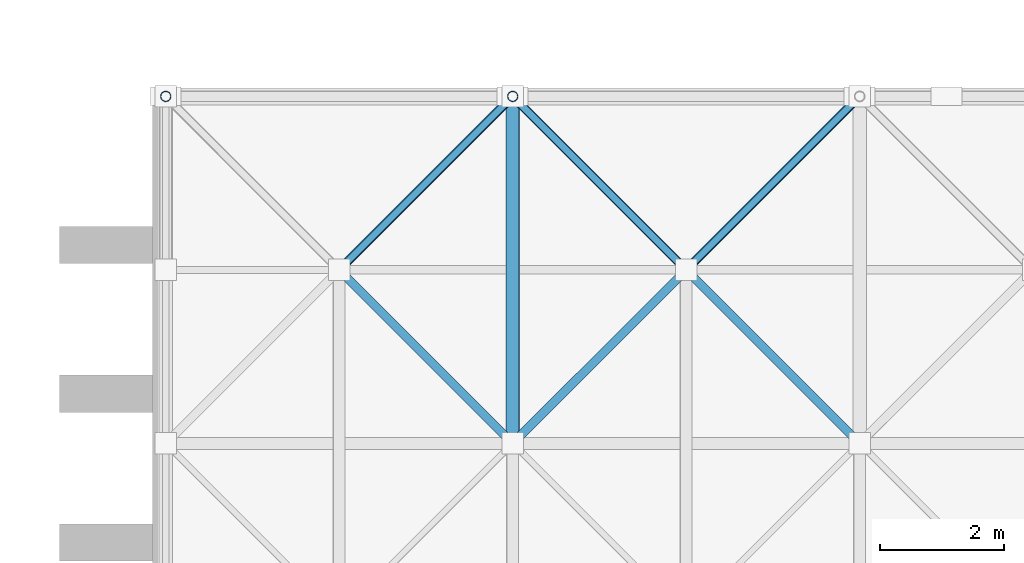
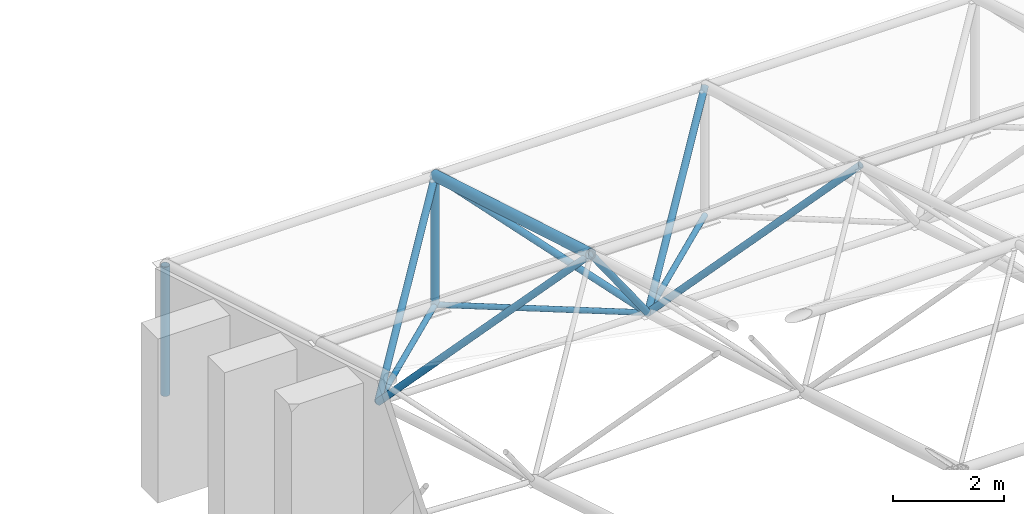
# One storey, part 31 of 100: 12 members.
"""IFC4 building model written with IfcOpenShell, lengths in metres."""

from ifc_helpers import new_model, si_unit, direction, frame, origin, origin_2d, place, context, subcontext, project, spatial, hollow_circle, extrude, material, material_profile, profile_set, type_object, element, save


model = new_model("IFC4")

# Units and contexts
model_context = context("Model", 3, precision=1e-05, world=origin(), true_north=direction((0.0, 1.0)))
body_context = subcontext(model_context, "Body", "Model", "MODEL_VIEW")
ifc_project = project(units=[si_unit("LENGTHUNIT", "METRE"), si_unit("AREAUNIT", "SQUARE_METRE"), si_unit("VOLUMEUNIT", "CUBIC_METRE"), si_unit("PLANEANGLEUNIT", "RADIAN"), si_unit("MASSUNIT", "GRAM", prefix="KILO")], contexts=[model_context])

# Site, building, storey
site_placement = place(None, origin())
site = spatial("IfcSite", under=ifc_project, at=site_placement, CompositionType="ELEMENT")
building_placement = place(site_placement, origin())
building = spatial("IfcBuilding", under=site, at=building_placement, Name="Kiln Court Media Centre", CompositionType="ELEMENT")
storey_placement = place(building_placement, frame((0.0, 0.0, 15.0)))
storey = spatial("IfcBuildingStorey", under=building, at=storey_placement, Name="L03", CompositionType="ELEMENT", Elevation=15.0)

# Members
ifc_material_1 = material(Name="Steel ASTM A500 Gr C", Category="steel")
ifc_material_profile_1 = material_profile(ifc_material_1, hollow_circle(Radius=0.05712890625, WallThickness=0.0048828125, at=origin_2d()), Name="CHS 114.3x5.0")
ifc_profile_set_1 = profile_set([ifc_material_profile_1], Name="Steel ASTM A500 Gr C")
member_type_1 = type_object("IfcMemberType", Name="Steel ASTM A500 Gr C CHS 114.3x5.0 space frame brace", PredefinedType="BRACE", material=ifc_profile_set_1)
for number, where, z_axis, x_axis, name in (
    (1, (123.199951171875, 67.199951171875, 0.16455078125), (-0.700650262178, -0.700650262178, 0.134827371927), (0.707106781187, -0.707106781187, 0.0), "V2 roof bearing tie last 2 space frame brace"),
    (2, (123.199951171875, 67.199951171875, 0.16455078125), (0.700650262178, -0.700650262178, 0.134827371927), (0.707106781187, 0.707106781187, 0.0), "V2 roof bearing tie last 2 space frame brace"),
    (3, (128.800048828125, 67.199951171875, 0.16455078125), (-0.700650262178, -0.700650262178, 0.134827371927), (0.707106781187, -0.707106781187, 0.0), "V2 roof bearing tie last 3 space frame brace"),
):
    element("IfcMember", number, at=place(storey_placement, frame(where, z_axis=z_axis, x_axis=x_axis)), inside=storey, type_object=member_type_1, Name=name, PredefinedType="BRACE", context=body_context, shape_type="SweptSolid", body=[
        extrude(hollow_circle(Radius=0.05712890625, WallThickness=0.0048828125, at=origin_2d()), origin(), (0.0, 0.0, 1.0), 3.996337890625),
    ])
ifc_material_2 = material(Name="Steel ASTM A500 Gr C", Category="steel")
ifc_material_profile_2 = material_profile(ifc_material_2, hollow_circle(Radius=0.06982421875, WallThickness=0.0048828125, at=origin_2d()), Name="CHS 139.7x5.0")
ifc_profile_set_2 = profile_set([ifc_material_profile_2], Name="Steel ASTM A500 Gr C")
member_type_2 = type_object("IfcMemberType", Name="Steel ASTM A500 Gr C CHS 139.7x5.0 space frame brace", PredefinedType="BRACE", material=ifc_profile_set_2)
member_1_placement = place(storey_placement, frame((120.39990234375, 64.39990234375, 0.703369140625), z_axis=(0.499789216589, -0.499745639188, 0.707435534232), x_axis=(0.707075952299, 0.70713760873, 0.0)))
element("IfcMember", 4, at=member_1_placement, inside=storey, type_object=member_type_2, Name="V2 roof diagonal 6-1 space frame brace", PredefinedType="BRACE", context=body_context, shape_type="SweptSolid", body=[
    extrude(hollow_circle(Radius=0.06982421875, WallThickness=0.0048828125, at=origin_2d()), origin(), (0.0, 0.0, 1.0), 5.6025390625),
])
member_2_placement = place(storey_placement, frame((120.39990234375, 64.39990234375, 0.703369140625), z_axis=(0.611675588557, 0.611675588557, 0.501703048353), x_axis=(-0.707106781187, 0.707106781187, 0.0)))
element("IfcMember", 5, at=member_2_placement, inside=storey, type_object=member_type_2, Name="V2 roof diagonal 6-1 space frame brace", PredefinedType="BRACE", context=body_context, shape_type="SweptSolid", body=[
    extrude(hollow_circle(Radius=0.06982421875, WallThickness=0.0048828125, at=origin_2d()), origin(), (0.0, 0.0, 1.0), 4.57763671875),
])
member_3_placement = place(storey_placement, frame((126.0, 64.39990234375, 0.703369140625), z_axis=(-0.499789216589, -0.499745639188, 0.707435534232), x_axis=(0.707075952299, -0.70713760873, 0.0)))
element("IfcMember", 6, at=member_3_placement, inside=storey, type_object=member_type_2, Name="V2 roof diagonal 6-2 space frame brace", PredefinedType="BRACE", context=body_context, shape_type="SweptSolid", body=[
    extrude(hollow_circle(Radius=0.06982421875, WallThickness=0.0048828125, at=origin_2d()), origin(), (0.0, 0.0, 1.0), 5.6025390625),
])
member_4_placement = place(storey_placement, frame((126.0, 64.39990234375, 0.703369140625), z_axis=(-0.611675588557, 0.611675588557, 0.501703048353), x_axis=(-0.707106781187, -0.707106781187, 0.0)))
element("IfcMember", 7, at=member_4_placement, inside=storey, type_object=member_type_2, Name="V2 roof diagonal 6-2 space frame brace", PredefinedType="BRACE", context=body_context, shape_type="SweptSolid", body=[
    extrude(hollow_circle(Radius=0.06982421875, WallThickness=0.0048828125, at=origin_2d()), origin(), (0.0, 0.0, 1.0), 4.57763671875),
])
member_5_placement = place(storey_placement, frame((126.0, 64.39990234375, 0.703369140625), z_axis=(0.499789216589, -0.499745639188, 0.707435534232), x_axis=(0.707075952299, 0.70713760873, 0.0)))
element("IfcMember", 8, at=member_5_placement, inside=storey, type_object=member_type_2, Name="V2 roof diagonal 6-2 space frame brace", PredefinedType="BRACE", context=body_context, shape_type="SweptSolid", body=[
    extrude(hollow_circle(Radius=0.06982421875, WallThickness=0.0048828125, at=origin_2d()), origin(), (0.0, 0.0, 1.0), 5.6025390625),
])
member_6_placement = place(storey_placement, frame((126.0, 64.39990234375, 0.703369140625), z_axis=(0.611675588557, 0.611675588557, 0.501703048353), x_axis=(-0.707106781187, 0.707106781187, 0.0)))
element("IfcMember", 9, at=member_6_placement, inside=storey, type_object=member_type_2, Name="V2 roof diagonal 6-2 space frame brace", PredefinedType="BRACE", context=body_context, shape_type="SweptSolid", body=[
    extrude(hollow_circle(Radius=0.06982421875, WallThickness=0.0048828125, at=origin_2d()), origin(), (0.0, 0.0, 1.0), 4.57763671875),
])
ifc_material_3 = material(Name="Steel ASTM A500 Gr C", Category="steel")
ifc_material_profile_3 = material_profile(ifc_material_3, hollow_circle(Radius=0.084228515625, WallThickness=0.00634765625, at=origin_2d()), Name="CHS 168.3x6.3")
ifc_profile_set_3 = profile_set([ifc_material_profile_3], Name="Steel ASTM A500 Gr C")
member_type_3 = type_object("IfcMemberType", Name="Steel ASTM A500 Gr C CHS 168.3x6.3 space frame strut", PredefinedType="STRUT", material=ifc_profile_set_3)
for number, where, z_axis, x_axis, name in (
    (10, (117.60009765625, 67.199951171875, 0.16455078125), (0.0, 0.0, 1.0), (1.0, 0.0, 0.0), "V2 roof bearing post last 1 space frame strut"),
    (11, (123.199951171875, 67.199951171875, 0.16455078125), (0.0, 0.0, 1.0), (1.0, 0.0, 0.0), "V2 roof bearing post last 2 space frame strut"),
):
    element("IfcMember", number, at=place(storey_placement, frame(where, z_axis=z_axis, x_axis=x_axis)), inside=storey, type_object=member_type_3, Name=name, PredefinedType="STRUT", context=body_context, shape_type="SweptSolid", body=[
        extrude(hollow_circle(Radius=0.084228515625, WallThickness=0.00634765625, at=origin_2d()), origin(), (0.0, 0.0, 1.0), 2.83544921875),
    ])
ifc_material_4 = material(Name="Steel ASTM A500 Gr C", Category="steel")
ifc_material_profile_4 = material_profile(ifc_material_4, hollow_circle(Radius=0.109619140625, WallThickness=0.008056640625, at=origin_2d()), Name="CHS 219.1x8.0")
ifc_profile_set_4 = profile_set([ifc_material_profile_4], Name="Steel ASTM A500 Gr C")
member_type_4 = type_object("IfcMemberType", Name="Steel ASTM A500 Gr C CHS 219.1x8.0 space frame chord", PredefinedType="CHORD", material=ifc_profile_set_4)
member_7_placement = place(storey_placement, frame((123.199951171875, 61.60009765625, 4.666748046875), z_axis=(0.0, 0.958446230045, -0.285273244649), x_axis=(-1.0, 0.0, 0.0)))
element("IfcMember", 12, at=member_7_placement, inside=storey, type_object=member_type_4, Name="V2 roof top chord across line 2 space frame chord", PredefinedType="CHORD", context=body_context, shape_type="SweptSolid", body=[
    extrude(hollow_circle(Radius=0.109619140625, WallThickness=0.008056640625, at=origin_2d()), origin(), (0.0, 0.0, 1.0), 5.842529296875),
])

save(model, "model.ifc")
